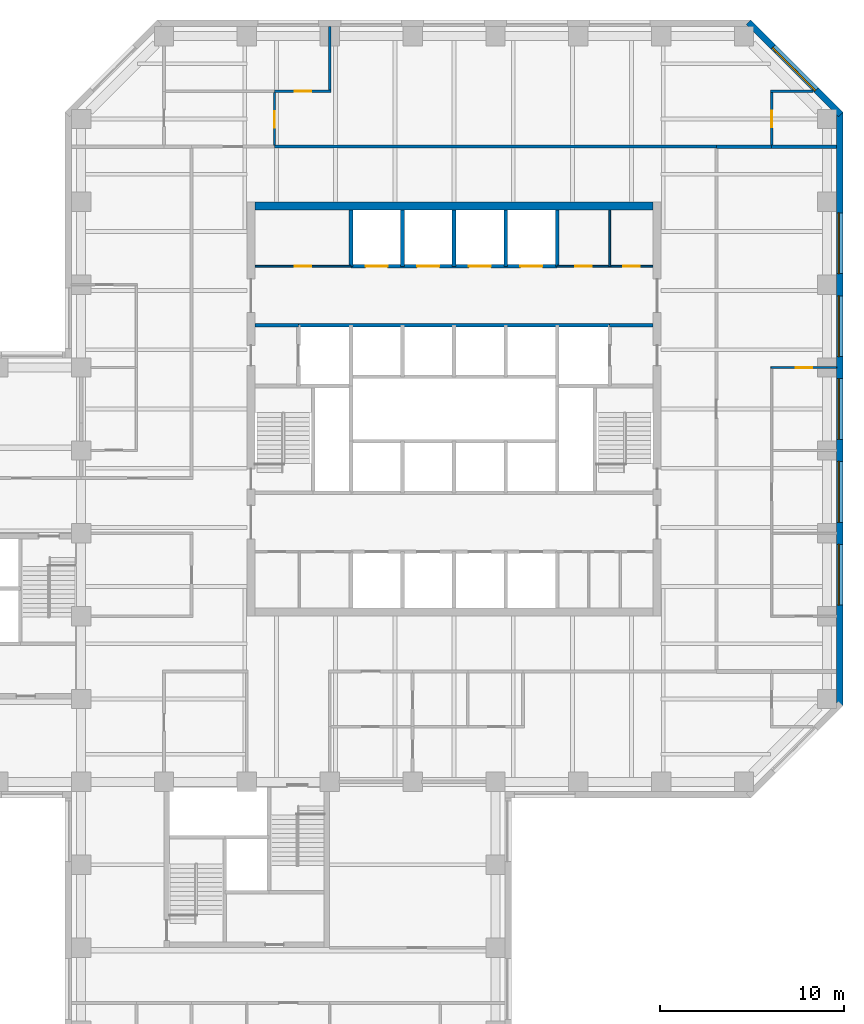
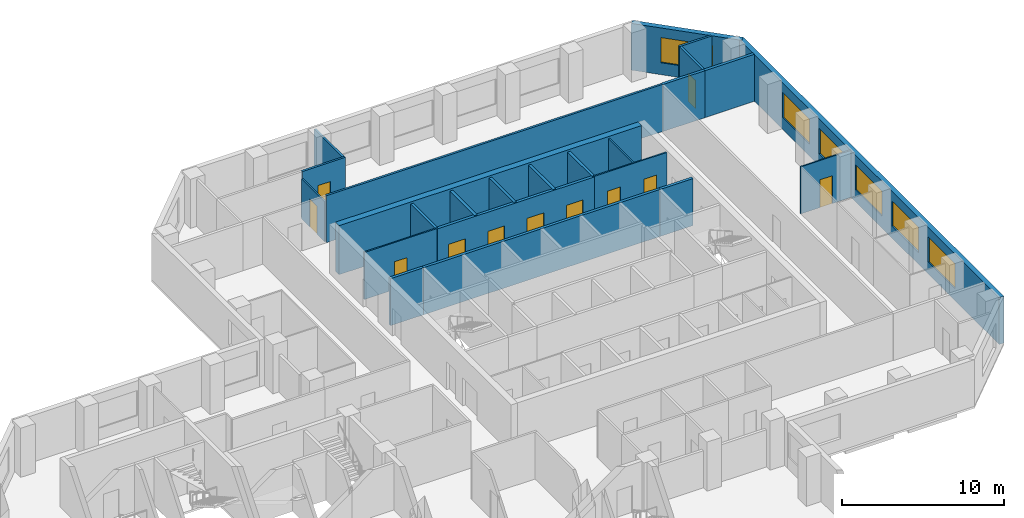
# One storey, part 8 of 10: 24 walls, 11 doors, 6 windows, 17 openings.
"""IFC4 building model written with IfcOpenShell, lengths in metres."""

from ifc_helpers import new_model, si_unit, direction, frame, frame_2d, origin, place, context, subcontext, project, spatial, rectangle, extrude, material, layer, layer_set, constituent, constituent_set, type_object, element, fill, save


model = new_model("IFC4")

# Units and contexts
model_context = context("Model", 3, precision=1e-05, world=origin(), true_north=direction((0.0, 1.0)))
body_context = subcontext(model_context, "Body", "Model", "MODEL_VIEW")
ifc_project = project(units=[si_unit("LENGTHUNIT", "METRE"), si_unit("AREAUNIT", "SQUARE_METRE"), si_unit("VOLUMEUNIT", "CUBIC_METRE"), si_unit("PLANEANGLEUNIT", "RADIAN"), si_unit("MASSUNIT", "GRAM", prefix="KILO")], contexts=[model_context])

# Site, building, storey
site_placement = place(None, origin())
site = spatial("IfcSite", under=ifc_project, at=site_placement, CompositionType="ELEMENT")
building_placement = place(site_placement, origin())
building = spatial("IfcBuilding", under=site, at=building_placement, Name="Quoin Convention Tower", CompositionType="ELEMENT")
storey_placement = place(building_placement, frame((0.0, 0.0, 90.0)))
storey = spatial("IfcBuildingStorey", under=building, at=storey_placement, Name="L23", CompositionType="ELEMENT", Elevation=90.0)

# Wall, opening, door
ifc_material_1 = material(Name="Plasterboard")
ifc_layer_1 = layer(ifc_material_1, 0.012451171875, Name="Finish")
ifc_material_2 = material(Name="Steel stud framing", Category="steel")
ifc_layer_2 = layer(ifc_material_2, 0.125, Name="Structure")
ifc_layer_3 = layer(ifc_material_1, 0.012451171875, Name="Finish")
ifc_layer_set_1 = layer_set([ifc_layer_1, ifc_layer_2, ifc_layer_3], Name="Steel stud framing")
wall_type_1 = type_object("IfcWallType", Name="Acoustic partition 150", PredefinedType="PARTITIONING", material=ifc_layer_set_1)
wall_1_placement = place(storey_placement, frame((46.5, 78.0, 0.0), z_axis=(0.0, 0.0, 1.0), x_axis=(1.0, 0.0, 0.0)))
wall_1 = element("IfcWall", 1, at=wall_1_placement, inside=storey, type_object=wall_type_1, Name="pw-L23-055", PredefinedType="PARTITIONING", context=body_context, shape_type="SweptSolid", body=[
    extrude(rectangle(XDim=3.074951171875, YDim=0.14990234375, at=frame_2d((1.53759765625, 0.0))), origin(), (0.0, 0.0, 1.0), 3.550048828125),
])
opening_1_placement = place(wall_1_placement, frame((1.10009765625, 0.0, 0.0)))
opening_1 = element("IfcOpeningElement", 2, at=opening_1_placement, cuts=wall_1, Name="Opening DOL2-18", PredefinedType="OPENING", context=body_context, shape_type="SweptSolid", body=[
    extrude(rectangle(XDim=0.89990234375, YDim=2.10009765625, at=frame_2d((0.449951171875, 1.050048828125))), frame((0.0, 0.0849609375, 0.0), z_axis=(0.0, -1.0, 0.0), x_axis=(1.0, 0.0, 0.0)), (0.0, 0.0, 1.0), 0.169921875),
])
ifc_material_3 = material(Name="Steel door leaf", Category="steel")
door_type_1 = type_object("IfcDoorType", Name="Office door 900 x 2100", OperationType="SINGLE_SWING_RIGHT", PredefinedType="DOOR", material=ifc_material_3)
door_1_placement = place(opening_1_placement, frame((0.89990234375, 0.0, 0.0), z_axis=(0.0, 0.0, 1.0), x_axis=(-1.0, 0.0, 0.0)))
door_1 = element("IfcDoor", 3, at=door_1_placement, inside=storey, type_object=door_type_1, Name="dr-L23-35", OperationType="SINGLE_SWING_LEFT", OverallHeight=2.10009765625, OverallWidth=0.89990234375, PredefinedType="DOOR", context=body_context, shape_type="SweptSolid", body=[
    extrude(rectangle(XDim=0.89990234375, YDim=2.10009765625, at=frame_2d((0.449951171875, 1.050048828125))), frame((0.0, 0.02490234375, 0.0), z_axis=(0.0, -1.0, 0.0), x_axis=(1.0, 0.0, 0.0)), (0.0, 0.0, 1.0), 0.050048828125),
])
fill(opening_1, door_1)

# Wall
wall_2_placement = place(storey_placement, frame((49.5, 78.074951171875, 0.0), z_axis=(0.0, 0.0, 1.0), x_axis=(0.0, 1.0, 0.0)))
element("IfcWall", 4, at=wall_2_placement, inside=storey, type_object=wall_type_1, Name="pw-L23-103", PredefinedType="PARTITIONING", context=body_context, shape_type="SweptSolid", body=[
    extrude(rectangle(XDim=3.449951171875, YDim=0.14990234375, at=frame_2d((1.72509765625, 0.0))), origin(), (0.0, 0.0, 1.0), 3.550048828125),
])

# Wall, openings, windows
ifc_material_4 = material(Name="Brick masonry", Category="masonry")
ifc_layer_4 = layer(ifc_material_4, 0.35009765625)
ifc_layer_set_2 = layer_set([ifc_layer_4], Name="Brick masonry")
wall_type_2 = type_object("IfcWallType", Name="Brick facade wall", PredefinedType="STANDARD", material=ifc_layer_set_2)
wall_3_placement = place(storey_placement, frame((77.199951171875, 44.6376953125, 0.0), z_axis=(0.0, 0.0, 1.0), x_axis=(0.0, 1.0, 0.0)))
wall_3 = element("IfcWall", 5, at=wall_3_placement, inside=storey, type_object=wall_type_2, Name="fw-L23-76500_45000", PredefinedType="STANDARD", context=body_context, shape_type="SweptSolid", body=[
    extrude(rectangle(XDim=32.224609375, YDim=0.35009765625, at=frame_2d((16.1123046875, 0.0))), origin(), (0.0, 0.0, 1.0), 3.52490234375),
])
opening_2_placement = place(wall_3_placement, frame((5.46240234375, 0.0, 0.89990234375)))
opening_2 = element("IfcOpeningElement", 6, at=opening_2_placement, cuts=wall_3, Name="Opening W-02", PredefinedType="OPENING", context=body_context, shape_type="SweptSolid", body=[
    extrude(rectangle(XDim=3.300048828125, YDim=1.89990234375, at=frame_2d((1.64990234375, 0.949951171875))), frame((0.0, 0.18505859375, 0.0), z_axis=(0.0, -1.0, 0.0), x_axis=(1.0, 0.0, 0.0)), (0.0, 0.0, 1.0), 0.3701171875),
])
opening_3_placement = place(wall_3_placement, frame((9.96240234375, 0.0, 0.89990234375)))
opening_3 = element("IfcOpeningElement", 7, at=opening_3_placement, cuts=wall_3, Name="Opening W-02", PredefinedType="OPENING", context=body_context, shape_type="SweptSolid", body=[
    extrude(rectangle(XDim=3.300048828125, YDim=1.89990234375, at=frame_2d((1.64990234375, 0.949951171875))), frame((0.0, 0.18505859375, 0.0), z_axis=(0.0, -1.0, 0.0), x_axis=(1.0, 0.0, 0.0)), (0.0, 0.0, 1.0), 0.3701171875),
])
opening_4_placement = place(wall_3_placement, frame((14.46240234375, 0.0, 0.89990234375)))
opening_4 = element("IfcOpeningElement", 8, at=opening_4_placement, cuts=wall_3, Name="Opening W-02", PredefinedType="OPENING", context=body_context, shape_type="SweptSolid", body=[
    extrude(rectangle(XDim=3.300048828125, YDim=1.89990234375, at=frame_2d((1.64990234375, 0.949951171875))), frame((0.0, 0.18505859375, 0.0), z_axis=(0.0, -1.0, 0.0), x_axis=(1.0, 0.0, 0.0)), (0.0, 0.0, 1.0), 0.3701171875),
])
opening_5_placement = place(wall_3_placement, frame((18.96240234375, 0.0, 0.89990234375)))
opening_5 = element("IfcOpeningElement", 9, at=opening_5_placement, cuts=wall_3, Name="Opening W-02", PredefinedType="OPENING", context=body_context, shape_type="SweptSolid", body=[
    extrude(rectangle(XDim=3.300048828125, YDim=1.89990234375, at=frame_2d((1.64990234375, 0.949951171875))), frame((0.0, 0.18505859375, 0.0), z_axis=(0.0, -1.0, 0.0), x_axis=(1.0, 0.0, 0.0)), (0.0, 0.0, 1.0), 0.3701171875),
])
opening_6_placement = place(wall_3_placement, frame((23.46240234375, 0.0, 0.89990234375)))
opening_6 = element("IfcOpeningElement", 10, at=opening_6_placement, cuts=wall_3, Name="Opening W-02", PredefinedType="OPENING", context=body_context, shape_type="SweptSolid", body=[
    extrude(rectangle(XDim=3.300048828125, YDim=1.89990234375, at=frame_2d((1.64990234375, 0.949951171875))), frame((0.0, 0.18505859375, 0.0), z_axis=(0.0, -1.0, 0.0), x_axis=(1.0, 0.0, 0.0)), (0.0, 0.0, 1.0), 0.3701171875),
])
ifc_material_5 = material(Name="Aluminium", Category="aluminium")
ifc_constituent_1 = constituent(ifc_material_5, Name="Frame")
ifc_material_6 = material(Name="Insulated glass", Category="glass")
ifc_constituent_2 = constituent(ifc_material_6, Name="Glazing")
ifc_constituent_set = constituent_set(constituents=[ifc_constituent_1, ifc_constituent_2], Name="Aluminium")
window_type = type_object("IfcWindowType", Name="Office window", PartitioningType="DOUBLE_PANEL_VERTICAL", PredefinedType="WINDOW", material=ifc_constituent_set)
window_1_placement = place(opening_2_placement, origin())
window_1 = element("IfcWindow", 11, at=window_1_placement, inside=storey, type_object=window_type, Name="win-L23-77200_51750", OverallHeight=1.89990234375, OverallWidth=3.300048828125, PartitioningType="SINGLE_PANEL", PredefinedType="WINDOW", context=body_context, shape_type="SweptSolid", body=[
    extrude(rectangle(XDim=3.300048828125, YDim=1.89990234375, at=frame_2d((1.64990234375, 0.949951171875))), frame((0.0, 0.0849609375, 0.0), z_axis=(0.0, -1.0, 0.0), x_axis=(1.0, 0.0, 0.0)), (0.0, 0.0, 1.0), 0.06005859375),
])
fill(opening_2, window_1)
window_2_placement = place(opening_3_placement, origin())
window_2 = element("IfcWindow", 12, at=window_2_placement, inside=storey, type_object=window_type, Name="win-L23-77200_56250", OverallHeight=1.89990234375, OverallWidth=3.300048828125, PartitioningType="SINGLE_PANEL", PredefinedType="WINDOW", context=body_context, shape_type="SweptSolid", body=[
    extrude(rectangle(XDim=3.300048828125, YDim=1.89990234375, at=frame_2d((1.64990234375, 0.949951171875))), frame((0.0, 0.0849609375, 0.0), z_axis=(0.0, -1.0, 0.0), x_axis=(1.0, 0.0, 0.0)), (0.0, 0.0, 1.0), 0.06005859375),
])
fill(opening_3, window_2)
window_3_placement = place(opening_4_placement, origin())
window_3 = element("IfcWindow", 13, at=window_3_placement, inside=storey, type_object=window_type, Name="win-L23-77200_60750", OverallHeight=1.89990234375, OverallWidth=3.300048828125, PartitioningType="SINGLE_PANEL", PredefinedType="WINDOW", context=body_context, shape_type="SweptSolid", body=[
    extrude(rectangle(XDim=3.300048828125, YDim=1.89990234375, at=frame_2d((1.64990234375, 0.949951171875))), frame((0.0, 0.0849609375, 0.0), z_axis=(0.0, -1.0, 0.0), x_axis=(1.0, 0.0, 0.0)), (0.0, 0.0, 1.0), 0.06005859375),
])
fill(opening_4, window_3)
window_4_placement = place(opening_5_placement, origin())
window_4 = element("IfcWindow", 14, at=window_4_placement, inside=storey, type_object=window_type, Name="win-L23-77200_65250", OverallHeight=1.89990234375, OverallWidth=3.300048828125, PartitioningType="SINGLE_PANEL", PredefinedType="WINDOW", context=body_context, shape_type="SweptSolid", body=[
    extrude(rectangle(XDim=3.300048828125, YDim=1.89990234375, at=frame_2d((1.64990234375, 0.949951171875))), frame((0.0, 0.0849609375, 0.0), z_axis=(0.0, -1.0, 0.0), x_axis=(1.0, 0.0, 0.0)), (0.0, 0.0, 1.0), 0.06005859375),
])
fill(opening_5, window_4)
window_5_placement = place(opening_6_placement, origin())
window_5 = element("IfcWindow", 15, at=window_5_placement, inside=storey, type_object=window_type, Name="win-L23-77200_69750", OverallHeight=1.89990234375, OverallWidth=3.300048828125, PartitioningType="SINGLE_PANEL", PredefinedType="WINDOW", context=body_context, shape_type="SweptSolid", body=[
    extrude(rectangle(XDim=3.300048828125, YDim=1.89990234375, at=frame_2d((1.64990234375, 0.949951171875))), frame((0.0, 0.0849609375, 0.0), z_axis=(0.0, -1.0, 0.0), x_axis=(1.0, 0.0, 0.0)), (0.0, 0.0, 1.0), 0.06005859375),
])
fill(opening_6, window_5)

# Wall, opening, window
wall_4_placement = place(storey_placement, frame((77.251220703125, 76.73876953125, 0.0), z_axis=(0.0, 0.0, 1.0), x_axis=(-0.707106781187, 0.707106781187, 0.0)))
wall_4 = element("IfcWall", 16, at=wall_4_placement, inside=storey, type_object=wall_type_2, Name="fw-L23-76500_76500", PredefinedType="STANDARD", context=body_context, shape_type="SweptSolid", body=[
    extrude(rectangle(XDim=7.088623046875, YDim=0.35009765625, at=frame_2d((3.54443359375, 0.0))), origin(), (0.0, 0.0, 1.0), 3.52490234375),
])
opening_7_placement = place(wall_4_placement, frame((1.894287109375, 0.0, 0.89990234375)))
opening_7 = element("IfcOpeningElement", 17, at=opening_7_placement, cuts=wall_4, Name="Opening W-02", PredefinedType="OPENING", context=body_context, shape_type="SweptSolid", body=[
    extrude(rectangle(XDim=3.300048828125, YDim=1.89990234375, at=frame_2d((1.64990234375, 0.949951171875))), frame((0.0, 0.18505859375, 0.0), z_axis=(0.0, -1.0, 0.0), x_axis=(1.0, 0.0, 0.0)), (0.0, 0.0, 1.0), 0.3701171875),
])
window_6_placement = place(opening_7_placement, origin())
window_6 = element("IfcWindow", 18, at=window_6_placement, inside=storey, type_object=window_type, Name="win-L23-74745_79245", OverallHeight=1.89990234375, OverallWidth=3.300048828125, PartitioningType="SINGLE_PANEL", PredefinedType="WINDOW", context=body_context, shape_type="SweptSolid", body=[
    extrude(rectangle(XDim=3.300048828125, YDim=1.89990234375, at=frame_2d((1.64990234375, 0.949951171875))), frame((0.0, 0.0849609375, 0.0), z_axis=(0.0, -1.0, 0.0), x_axis=(1.0, 0.0, 0.0)), (0.0, 0.0, 1.0), 0.06005859375),
])
fill(opening_7, window_6)

# Wall, opening, door
ifc_layer_5 = layer(ifc_material_1, 0.012451171875, Name="Finish")
ifc_layer_6 = layer(ifc_material_2, 0.074951171875, Name="Structure")
ifc_layer_7 = layer(ifc_material_1, 0.012451171875, Name="Finish")
ifc_layer_set_3 = layer_set([ifc_layer_5, ifc_layer_6, ifc_layer_7], Name="Steel stud framing")
wall_type_3 = type_object("IfcWallType", Name="Core partition wall", PredefinedType="PARTITIONING", material=ifc_layer_set_3)
wall_5_placement = place(storey_placement, frame((45.449951171875, 68.5, 0.0), z_axis=(0.0, 0.0, 1.0), x_axis=(1.0, 0.0, 0.0)))
wall_5 = element("IfcWall", 19, at=wall_5_placement, inside=storey, type_object=wall_type_3, Name="cr-C1-L23-h19000_450", PredefinedType="PARTITIONING", context=body_context, shape_type="SweptSolid", body=[
    extrude(rectangle(XDim=5.199951171875, YDim=0.10009765625, at=frame_2d((2.60009765625, 0.0))), origin(), (0.0, 0.0, 1.0), 3.550048828125),
])
opening_8_placement = place(wall_5_placement, frame((2.14990234375, 0.0, 0.0)))
opening_8 = element("IfcOpeningElement", 20, at=opening_8_placement, cuts=wall_5, Name="Opening DCV2-14", PredefinedType="OPENING", context=body_context, shape_type="SweptSolid", body=[
    extrude(rectangle(XDim=0.89990234375, YDim=2.10009765625, at=frame_2d((0.449951171875, 1.050048828125))), frame((0.0, 0.06005859375, 0.0), z_axis=(0.0, -1.0, 0.0), x_axis=(1.0, 0.0, 0.0)), (0.0, 0.0, 1.0), 0.1201171875),
])
door_type_2 = type_object("IfcDoorType", Name="Core room door 900 x 2100", OperationType="SINGLE_SWING_LEFT", PredefinedType="DOOR", material=ifc_material_3)
door_2_placement = place(opening_8_placement, origin())
door_2 = element("IfcDoor", 21, at=door_2_placement, inside=storey, type_object=door_type_2, Name="cd-C1-L23-CNW0-lobB-CD2309", OperationType="SINGLE_SWING_RIGHT", OverallHeight=2.10009765625, OverallWidth=0.89990234375, PredefinedType="DOOR", context=body_context, shape_type="SweptSolid", body=[
    extrude(rectangle(XDim=0.89990234375, YDim=2.10009765625, at=frame_2d((0.449951171875, 1.050048828125))), frame((0.0, 0.02490234375, 0.0), z_axis=(0.0, -1.0, 0.0), x_axis=(1.0, 0.0, 0.0)), (0.0, 0.0, 1.0), 0.050048828125),
])
fill(opening_8, door_2)

# Wall, openings, doors
wall_6_placement = place(storey_placement, frame((61.85009765625, 68.5, 0.0), z_axis=(0.0, 0.0, 1.0), x_axis=(1.0, 0.0, 0.0)))
wall_6 = element("IfcWall", 22, at=wall_6_placement, inside=storey, type_object=wall_type_3, Name="cr-C1-L23-h19000_16850", PredefinedType="PARTITIONING", context=body_context, shape_type="SweptSolid", body=[
    extrude(rectangle(XDim=5.199951171875, YDim=0.10009765625, at=frame_2d((2.60009765625, 0.0))), origin(), (0.0, 0.0, 1.0), 3.550048828125),
])
opening_9_placement = place(wall_6_placement, frame((3.580078125, 0.0, 0.0)))
opening_9 = element("IfcOpeningElement", 23, at=opening_9_placement, cuts=wall_6, Name="Opening DCV2-04", PredefinedType="OPENING", context=body_context, shape_type="SweptSolid", body=[
    extrude(rectangle(XDim=0.89990234375, YDim=2.10009765625, at=frame_2d((0.449951171875, 1.050048828125))), frame((0.0, 0.06005859375, 0.0), z_axis=(0.0, -1.0, 0.0), x_axis=(1.0, 0.0, 0.0)), (0.0, 0.0, 1.0), 0.1201171875),
])
opening_10_placement = place(wall_6_placement, frame((0.97998046875, 0.0, 0.0)))
opening_10 = element("IfcOpeningElement", 24, at=opening_10_placement, cuts=wall_6, Name="Opening DCV2-02", PredefinedType="OPENING", context=body_context, shape_type="SweptSolid", body=[
    extrude(rectangle(XDim=0.89990234375, YDim=2.10009765625, at=frame_2d((0.449951171875, 1.050048828125))), frame((0.0, 0.06005859375, 0.0), z_axis=(0.0, -1.0, 0.0), x_axis=(1.0, 0.0, 0.0)), (0.0, 0.0, 1.0), 0.1201171875),
])
door_3_placement = place(opening_9_placement, origin())
door_3 = element("IfcDoor", 25, at=door_3_placement, inside=storey, type_object=door_type_2, Name="cd-C1-L23-CNE0-lobB-CD2307", OperationType="SINGLE_SWING_RIGHT", OverallHeight=2.10009765625, OverallWidth=0.89990234375, PredefinedType="DOOR", context=body_context, shape_type="SweptSolid", body=[
    extrude(rectangle(XDim=0.89990234375, YDim=2.10009765625, at=frame_2d((0.449951171875, 1.050048828125))), frame((0.0, 0.02490234375, 0.0), z_axis=(0.0, -1.0, 0.0), x_axis=(1.0, 0.0, 0.0)), (0.0, 0.0, 1.0), 0.050048828125),
])
fill(opening_9, door_3)
door_4_placement = place(opening_10_placement, origin())
door_4 = element("IfcDoor", 26, at=door_4_placement, inside=storey, type_object=door_type_2, Name="cd-C1-L23-CNE1-lobB-CD2308", OperationType="SINGLE_SWING_RIGHT", OverallHeight=2.10009765625, OverallWidth=0.89990234375, PredefinedType="DOOR", context=body_context, shape_type="SweptSolid", body=[
    extrude(rectangle(XDim=0.89990234375, YDim=2.10009765625, at=frame_2d((0.449951171875, 1.050048828125))), frame((0.0, 0.02490234375, 0.0), z_axis=(0.0, -1.0, 0.0), x_axis=(1.0, 0.0, 0.0)), (0.0, 0.0, 1.0), 0.050048828125),
])
fill(opening_10, door_4)

# Walls
wall_7_placement = place(storey_placement, frame((64.7099609375, 68.5, 0.0), z_axis=(0.0, 0.0, 1.0), x_axis=(0.0, 1.0, 0.0)))
element("IfcWall", 27, at=wall_7_placement, inside=storey, type_object=wall_type_3, Name="cr-C1-L23-v19710_19000", PredefinedType="PARTITIONING", context=body_context, shape_type="SweptSolid", body=[
    extrude(rectangle(XDim=3.050048828125, YDim=0.10009765625, at=frame_2d((1.52490234375, 0.0))), origin(), (0.0, 0.0, 1.0), 3.550048828125),
])
ifc_material_7 = material(Name="Concrete C50", Category="concrete")
ifc_layer_8 = layer(ifc_material_7, 0.199951171875)
ifc_layer_set_4 = layer_set([ifc_layer_8], Name="Concrete C50")
wall_type_4 = type_object("IfcWallType", Name="Core shaft wall", PredefinedType="SOLIDWALL", material=ifc_layer_set_4)
for number, where, z_axis, x_axis, name in (
    (28, (45.449951171875, 65.300048828125, 0.0), (0.0, 0.0, 1.0), (1.0, 0.0, 0.0), "cr-C1-L23-h15800_450"),
    (29, (64.699951171875, 65.300048828125, 0.0), (0.0, 0.0, 1.0), (1.0, 0.0, 0.0), "cr-C1-L23-h15800_19700"),
):
    element("IfcWall", number, at=place(storey_placement, frame(where, z_axis=z_axis, x_axis=x_axis)), inside=storey, type_object=wall_type_4, Name=name, PredefinedType="SOLIDWALL", context=body_context, shape_type="SweptSolid", body=[
        extrude(rectangle(XDim=2.35009765625, YDim=0.199951171875, at=frame_2d((1.175048828125, 0.0))), origin(), (0.0, 0.0, 1.0), 3.550048828125),
    ])
wall_8_placement = place(storey_placement, frame((47.800048828125, 65.300048828125, 0.0), z_axis=(0.0, 0.0, 1.0), x_axis=(1.0, 0.0, 0.0)))
element("IfcWall", 30, at=wall_8_placement, inside=storey, type_object=wall_type_4, Name="cr-C1-L23-h15800_2800", PredefinedType="SOLIDWALL", context=body_context, shape_type="SweptSolid", body=[
    extrude(rectangle(XDim=16.89990234375, YDim=0.199951171875, at=frame_2d((8.449951171875, 0.0))), origin(), (0.0, 0.0, 1.0), 3.550048828125),
])

# Wall, openings, doors
wall_9_placement = place(storey_placement, frame((50.64990234375, 68.5, 0.0), z_axis=(0.0, 0.0, 1.0), x_axis=(1.0, 0.0, 0.0)))
wall_9 = element("IfcWall", 31, at=wall_9_placement, inside=storey, type_object=wall_type_4, Name="cr-C1-L23-h19000_5650", PredefinedType="SOLIDWALL", context=body_context, shape_type="SweptSolid", body=[
    extrude(rectangle(XDim=11.2001953125, YDim=0.199951171875, at=frame_2d((5.60009765625, 0.0))), origin(), (0.0, 0.0, 1.0), 3.550048828125),
])
opening_11_placement = place(wall_9_placement, frame((0.800048828125, 0.0, 0.0)))
opening_11 = element("IfcOpeningElement", 32, at=opening_11_placement, cuts=wall_9, Name="Opening LDL5", PredefinedType="OPENING", context=body_context, shape_type="SweptSolid", body=[
    extrude(rectangle(XDim=1.199951171875, YDim=2.10009765625, at=frame_2d((0.60009765625, 1.050048828125))), frame((0.0, 0.10986328125, 0.0), z_axis=(0.0, -1.0, 0.0), x_axis=(1.0, 0.0, 0.0)), (0.0, 0.0, 1.0), 0.219970703125),
])
opening_12_placement = place(wall_9_placement, frame((3.60009765625, 0.0, 0.0)))
opening_12 = element("IfcOpeningElement", 33, at=opening_12_placement, cuts=wall_9, Name="Opening LDL6", PredefinedType="OPENING", context=body_context, shape_type="SweptSolid", body=[
    extrude(rectangle(XDim=1.199951171875, YDim=2.10009765625, at=frame_2d((0.60009765625, 1.050048828125))), frame((0.0, 0.10986328125, 0.0), z_axis=(0.0, -1.0, 0.0), x_axis=(1.0, 0.0, 0.0)), (0.0, 0.0, 1.0), 0.219970703125),
])
opening_13_placement = place(wall_9_placement, frame((6.39990234375, 0.0, 0.0)))
opening_13 = element("IfcOpeningElement", 34, at=opening_13_placement, cuts=wall_9, Name="Opening LDL7", PredefinedType="OPENING", context=body_context, shape_type="SweptSolid", body=[
    extrude(rectangle(XDim=1.199951171875, YDim=2.10009765625, at=frame_2d((0.60009765625, 1.050048828125))), frame((0.0, 0.10986328125, 0.0), z_axis=(0.0, -1.0, 0.0), x_axis=(1.0, 0.0, 0.0)), (0.0, 0.0, 1.0), 0.219970703125),
])
opening_14_placement = place(wall_9_placement, frame((9.199951171875, 0.0, 0.0)))
opening_14 = element("IfcOpeningElement", 35, at=opening_14_placement, cuts=wall_9, Name="Opening LDL8", PredefinedType="OPENING", context=body_context, shape_type="SweptSolid", body=[
    extrude(rectangle(XDim=1.199951171875, YDim=2.10009765625, at=frame_2d((0.60009765625, 1.050048828125))), frame((0.0, 0.10986328125, 0.0), z_axis=(0.0, -1.0, 0.0), x_axis=(1.0, 0.0, 0.0)), (0.0, 0.0, 1.0), 0.219970703125),
])
door_type_3 = type_object("IfcDoorType", Name="Lift landing door 1200 x 2100", OperationType="DOUBLE_DOOR_SLIDING", PredefinedType="DOOR", material=ifc_material_3)
door_5_placement = place(opening_11_placement, origin())
door_5 = element("IfcDoor", 36, at=door_5_placement, inside=storey, type_object=door_type_3, Name="cd-C1-L23-R40-lobB-LDL5", OperationType="DOUBLE_DOOR_SLIDING", OverallHeight=2.10009765625, OverallWidth=1.199951171875, PredefinedType="DOOR", context=body_context, shape_type="SweptSolid", body=[
    extrude(rectangle(XDim=1.199951171875, YDim=2.10009765625, at=frame_2d((0.60009765625, 1.050048828125))), frame((0.0, 0.02490234375, 0.0), z_axis=(0.0, -1.0, 0.0), x_axis=(1.0, 0.0, 0.0)), (0.0, 0.0, 1.0), 0.050048828125),
])
fill(opening_11, door_5)
door_6_placement = place(opening_12_placement, origin())
door_6 = element("IfcDoor", 37, at=door_6_placement, inside=storey, type_object=door_type_3, Name="cd-C1-L23-R41-lobB-LDL6", OperationType="DOUBLE_DOOR_SLIDING", OverallHeight=2.10009765625, OverallWidth=1.199951171875, PredefinedType="DOOR", context=body_context, shape_type="SweptSolid", body=[
    extrude(rectangle(XDim=1.199951171875, YDim=2.10009765625, at=frame_2d((0.60009765625, 1.050048828125))), frame((0.0, 0.02490234375, 0.0), z_axis=(0.0, -1.0, 0.0), x_axis=(1.0, 0.0, 0.0)), (0.0, 0.0, 1.0), 0.050048828125),
])
fill(opening_12, door_6)
door_7_placement = place(opening_13_placement, origin())
door_7 = element("IfcDoor", 38, at=door_7_placement, inside=storey, type_object=door_type_3, Name="cd-C1-L23-R42-lobB-LDL7", OperationType="DOUBLE_DOOR_SLIDING", OverallHeight=2.10009765625, OverallWidth=1.199951171875, PredefinedType="DOOR", context=body_context, shape_type="SweptSolid", body=[
    extrude(rectangle(XDim=1.199951171875, YDim=2.10009765625, at=frame_2d((0.60009765625, 1.050048828125))), frame((0.0, 0.02490234375, 0.0), z_axis=(0.0, -1.0, 0.0), x_axis=(1.0, 0.0, 0.0)), (0.0, 0.0, 1.0), 0.050048828125),
])
fill(opening_13, door_7)
door_8_placement = place(opening_14_placement, origin())
door_8 = element("IfcDoor", 39, at=door_8_placement, inside=storey, type_object=door_type_3, Name="cd-C1-L23-R43-lobB-LDL8", OperationType="DOUBLE_DOOR_SLIDING", OverallHeight=2.10009765625, OverallWidth=1.199951171875, PredefinedType="DOOR", context=body_context, shape_type="SweptSolid", body=[
    extrude(rectangle(XDim=1.199951171875, YDim=2.10009765625, at=frame_2d((0.60009765625, 1.050048828125))), frame((0.0, 0.02490234375, 0.0), z_axis=(0.0, -1.0, 0.0), x_axis=(1.0, 0.0, 0.0)), (0.0, 0.0, 1.0), 0.050048828125),
])
fill(opening_14, door_8)

# Walls
for number, where, z_axis, x_axis, name in (
    (40, (50.64990234375, 68.5, 0.0), (0.0, 0.0, 1.0), (0.0, 1.0, 0.0), "cr-C1-L23-v5650_19000"),
    (41, (53.449951171875, 68.5, 0.0), (0.0, 0.0, 1.0), (0.0, 1.0, 0.0), "cr-C1-L23-v8450_19000"),
    (42, (56.25, 68.5, 0.0), (0.0, 0.0, 1.0), (0.0, 1.0, 0.0), "cr-C1-L23-v11250_19000"),
    (43, (59.050048828125, 68.5, 0.0), (0.0, 0.0, 1.0), (0.0, 1.0, 0.0), "cr-C1-L23-v14050_19000"),
    (44, (61.85009765625, 68.5, 0.0), (0.0, 0.0, 1.0), (0.0, 1.0, 0.0), "cr-C1-L23-v16850_19000"),
):
    element("IfcWall", number, at=place(storey_placement, frame(where, z_axis=z_axis, x_axis=x_axis)), inside=storey, type_object=wall_type_4, Name=name, PredefinedType="SOLIDWALL", context=body_context, shape_type="SweptSolid", body=[
        extrude(rectangle(XDim=3.050048828125, YDim=0.199951171875, at=frame_2d((1.52490234375, 0.0))), origin(), (0.0, 0.0, 1.0), 3.550048828125),
    ])
ifc_layer_9 = layer(ifc_material_1, 0.012451171875, Name="Finish")
ifc_layer_10 = layer(ifc_material_2, 0.125, Name="Structure")
ifc_layer_11 = layer(ifc_material_1, 0.012451171875, Name="Finish")
ifc_layer_set_5 = layer_set([ifc_layer_9, ifc_layer_10, ifc_layer_11], Name="Steel stud framing")
wall_type_5 = type_object("IfcWallType", Name="Corridor wall 150", PredefinedType="PARTITIONING", material=ifc_layer_set_5)
wall_10_placement = place(storey_placement, frame((46.5, 75.0, 0.0), z_axis=(0.0, 0.0, 1.0), x_axis=(1.0, 0.0, 0.0)))
element("IfcWall", 45, at=wall_10_placement, inside=storey, type_object=wall_type_5, Name="pw-L23-051", PredefinedType="PARTITIONING", context=body_context, shape_type="SweptSolid", body=[
    extrude(rectangle(XDim=24.0, YDim=0.14990234375, at=frame_2d((12.0, 0.0))), origin(), (0.0, 0.0, 1.0), 3.550048828125),
])
ifc_material_8 = material(Name="Concrete C65", Category="concrete")
ifc_layer_12 = layer(ifc_material_8, 0.449951171875)
ifc_layer_set_6 = layer_set([ifc_layer_12], Name="Concrete C65")
wall_type_6 = type_object("IfcWallType", Name="RC CORE WALL 450 C65", PredefinedType="SHEAR", material=ifc_layer_set_6)
wall_11_placement = place(storey_placement, frame((45.449951171875, 71.77490234375, 0.0), z_axis=(0.0, 0.0, 1.0), x_axis=(1.0, 0.0, 0.0)))
element("IfcWall", 46, at=wall_11_placement, inside=storey, type_object=wall_type_6, Name="cwl-C1-L23-N", PredefinedType="SHEAR", context=body_context, shape_type="SweptSolid", body=[
    extrude(rectangle(XDim=21.60009765625, YDim=0.449951171875, at=frame_2d((10.800048828125, 0.0))), origin(), (0.0, 0.0, 1.0), 3.699951171875),
])

# Wall, opening, door
ifc_layer_13 = layer(ifc_material_1, 0.012451171875, Name="Finish")
ifc_layer_14 = layer(ifc_material_2, 0.074951171875, Name="Structure")
ifc_layer_15 = layer(ifc_material_1, 0.012451171875, Name="Finish")
ifc_layer_set_7 = layer_set([ifc_layer_13, ifc_layer_14, ifc_layer_15], Name="Steel stud framing")
wall_type_7 = type_object("IfcWallType", Name="Stud partition 100", PredefinedType="PARTITIONING", material=ifc_layer_set_7)
wall_12_placement = place(storey_placement, frame((73.449951171875, 63.0, 0.0), z_axis=(0.0, 0.0, 1.0), x_axis=(1.0, 0.0, 0.0)))
wall_12 = element("IfcWall", 47, at=wall_12_placement, inside=storey, type_object=wall_type_7, Name="pw-L23-046", PredefinedType="PARTITIONING", context=body_context, shape_type="SweptSolid", body=[
    extrude(rectangle(XDim=3.574951171875, YDim=0.10009765625, at=frame_2d((1.78759765625, 0.0))), origin(), (0.0, 0.0, 1.0), 3.550048828125),
])
opening_15_placement = place(wall_12_placement, frame((1.35009765625, 0.0, 0.0)))
opening_15 = element("IfcOpeningElement", 48, at=opening_15_placement, cuts=wall_12, Name="Opening DOL2-15", PredefinedType="OPENING", context=body_context, shape_type="SweptSolid", body=[
    extrude(rectangle(XDim=0.89990234375, YDim=2.10009765625, at=frame_2d((0.449951171875, 1.050048828125))), frame((0.0, 0.06005859375, 0.0), z_axis=(0.0, -1.0, 0.0), x_axis=(1.0, 0.0, 0.0)), (0.0, 0.0, 1.0), 0.1201171875),
])
door_9_placement = place(opening_15_placement, origin())
door_9 = element("IfcDoor", 49, at=door_9_placement, inside=storey, type_object=door_type_1, Name="dr-L23-30", OperationType="SINGLE_SWING_RIGHT", OverallHeight=2.10009765625, OverallWidth=0.89990234375, PredefinedType="DOOR", context=body_context, shape_type="SweptSolid", body=[
    extrude(rectangle(XDim=0.89990234375, YDim=2.10009765625, at=frame_2d((0.449951171875, 1.050048828125))), frame((0.0, 0.02490234375, 0.0), z_axis=(0.0, -1.0, 0.0), x_axis=(1.0, 0.0, 0.0)), (0.0, 0.0, 1.0), 0.050048828125),
])
fill(opening_15, door_9)

ifc_layer_16 = layer(ifc_material_1, 0.012451171875, Name="Finish")
ifc_layer_17 = layer(ifc_material_2, 0.074951171875, Name="Structure")
ifc_layer_18 = layer(ifc_material_1, 0.012451171875, Name="Finish")
ifc_layer_set_8 = layer_set([ifc_layer_16, ifc_layer_17, ifc_layer_18], Name="Steel stud framing")
wall_type_8 = type_object("IfcWallType", Name="Stud partition 100 under beam 528", PredefinedType="PARTITIONING", material=ifc_layer_set_8)
wall_13_placement = place(storey_placement, frame((46.5, 75.074951171875, 0.0), z_axis=(0.0, 0.0, 1.0), x_axis=(0.0, 1.0, 0.0)))
wall_13 = element("IfcWall", 50, at=wall_13_placement, inside=storey, type_object=wall_type_8, Name="pw-L23-099", PredefinedType="PARTITIONING", context=body_context, shape_type="SweptSolid", body=[
    extrude(rectangle(XDim=2.85009765625, YDim=0.10009765625, at=frame_2d((1.425048828125, 0.0))), origin(), (0.0, 0.0, 1.0), 3.02197265625),
])
opening_16_placement = place(wall_13_placement, frame((0.949951171875, 0.0, 0.0)))
opening_16 = element("IfcOpeningElement", 51, at=opening_16_placement, cuts=wall_13, Name="Opening DOL2-28", PredefinedType="OPENING", context=body_context, shape_type="SweptSolid", body=[
    extrude(rectangle(XDim=0.89990234375, YDim=2.10009765625, at=frame_2d((0.449951171875, 1.050048828125))), frame((0.0, 0.06005859375, 0.0), z_axis=(0.0, -1.0, 0.0), x_axis=(1.0, 0.0, 0.0)), (0.0, 0.0, 1.0), 0.1201171875),
])
door_10_placement = place(opening_16_placement, frame((0.89990234375, 0.0, 0.0), z_axis=(0.0, 0.0, 1.0), x_axis=(-1.0, 0.0, 0.0)))
door_10 = element("IfcDoor", 52, at=door_10_placement, inside=storey, type_object=door_type_1, Name="dr-L23-32", OperationType="SINGLE_SWING_LEFT", OverallHeight=2.10009765625, OverallWidth=0.89990234375, PredefinedType="DOOR", context=body_context, shape_type="SweptSolid", body=[
    extrude(rectangle(XDim=0.89990234375, YDim=2.10009765625, at=frame_2d((0.449951171875, 1.050048828125))), frame((0.0, 0.02490234375, 0.0), z_axis=(0.0, -1.0, 0.0), x_axis=(1.0, 0.0, 0.0)), (0.0, 0.0, 1.0), 0.050048828125),
])
fill(opening_16, door_10)

# Walls
ifc_layer_19 = layer(ifc_material_1, 0.012451171875, Name="Finish")
ifc_layer_20 = layer(ifc_material_2, 0.175048828125, Name="Structure")
ifc_layer_21 = layer(ifc_material_1, 0.012451171875, Name="Finish")
ifc_layer_set_9 = layer_set([ifc_layer_19, ifc_layer_20, ifc_layer_21], Name="Steel stud framing")
wall_type_9 = type_object("IfcWallType", Name="Tenancy demising wall 200", PredefinedType="PARTITIONING", material=ifc_layer_set_9)
wall_14_placement = place(storey_placement, frame((70.5, 75.0, 0.0), z_axis=(0.0, 0.0, 1.0), x_axis=(1.0, 0.0, 0.0)))
element("IfcWall", 53, at=wall_14_placement, inside=storey, type_object=wall_type_9, Name="pw-L23-052", PredefinedType="PARTITIONING", context=body_context, shape_type="SweptSolid", body=[
    extrude(rectangle(XDim=3.0, YDim=0.199951171875, at=frame_2d((1.5, 0.0))), origin(), (0.0, 0.0, 1.0), 3.550048828125),
])
wall_15_placement = place(storey_placement, frame((73.5, 75.0, 0.0), z_axis=(0.0, 0.0, 1.0), x_axis=(1.0, 0.0, 0.0)))
element("IfcWall", 54, at=wall_15_placement, inside=storey, type_object=wall_type_9, Name="pw-L23-053", PredefinedType="PARTITIONING", context=body_context, shape_type="SweptSolid", body=[
    extrude(rectangle(XDim=3.52490234375, YDim=0.199951171875, at=frame_2d((1.762451171875, 0.0))), origin(), (0.0, 0.0, 1.0), 3.550048828125),
])
ifc_layer_22 = layer(ifc_material_1, 0.012451171875, Name="Finish")
ifc_layer_23 = layer(ifc_material_2, 0.125, Name="Structure")
ifc_layer_24 = layer(ifc_material_1, 0.012451171875, Name="Finish")
ifc_layer_set_10 = layer_set([ifc_layer_22, ifc_layer_23, ifc_layer_24], Name="Steel stud framing")
wall_type_10 = type_object("IfcWallType", Name="Wet area partition 150", PredefinedType="PARTITIONING", material=ifc_layer_set_10)
wall_16_placement = place(storey_placement, frame((73.425048828125, 78.0, 0.0), z_axis=(0.0, 0.0, 1.0), x_axis=(1.0, 0.0, 0.0)))
element("IfcWall", 55, at=wall_16_placement, inside=storey, type_object=wall_type_10, Name="pw-L23-056", PredefinedType="PARTITIONING", context=body_context, shape_type="SweptSolid", body=[
    extrude(rectangle(XDim=2.3173828125, YDim=0.14990234375, at=frame_2d((1.15869140625, 0.0))), origin(), (0.0, 0.0, 1.0), 3.550048828125),
])

# Wall, opening, door
wall_17_placement = place(storey_placement, frame((73.5, 75.10009765625, 0.0), z_axis=(0.0, 0.0, 1.0), x_axis=(0.0, 1.0, 0.0)))
wall_17 = element("IfcWall", 56, at=wall_17_placement, inside=storey, type_object=wall_type_10, Name="pw-L23-101", PredefinedType="PARTITIONING", context=body_context, shape_type="SweptSolid", body=[
    extrude(rectangle(XDim=2.824951171875, YDim=0.14990234375, at=frame_2d((1.41259765625, 0.0))), origin(), (0.0, 0.0, 1.0), 3.550048828125),
])
opening_17_placement = place(wall_17_placement, frame((0.949951171875, 0.0, 0.0)))
opening_17 = element("IfcOpeningElement", 57, at=opening_17_placement, cuts=wall_17, Name="Opening DOL2-30", PredefinedType="OPENING", context=body_context, shape_type="SweptSolid", body=[
    extrude(rectangle(XDim=0.89990234375, YDim=2.10009765625, at=frame_2d((0.449951171875, 1.050048828125))), frame((0.0, 0.0849609375, 0.0), z_axis=(0.0, -1.0, 0.0), x_axis=(1.0, 0.0, 0.0)), (0.0, 0.0, 1.0), 0.169921875),
])
door_11_placement = place(opening_17_placement, origin())
door_11 = element("IfcDoor", 58, at=door_11_placement, inside=storey, type_object=door_type_1, Name="dr-L23-33", OperationType="SINGLE_SWING_RIGHT", OverallHeight=2.10009765625, OverallWidth=0.89990234375, PredefinedType="DOOR", context=body_context, shape_type="SweptSolid", body=[
    extrude(rectangle(XDim=0.89990234375, YDim=2.10009765625, at=frame_2d((0.449951171875, 1.050048828125))), frame((0.0, 0.02490234375, 0.0), z_axis=(0.0, -1.0, 0.0), x_axis=(1.0, 0.0, 0.0)), (0.0, 0.0, 1.0), 0.050048828125),
])
fill(opening_17, door_11)

save(model, "model.ifc")
